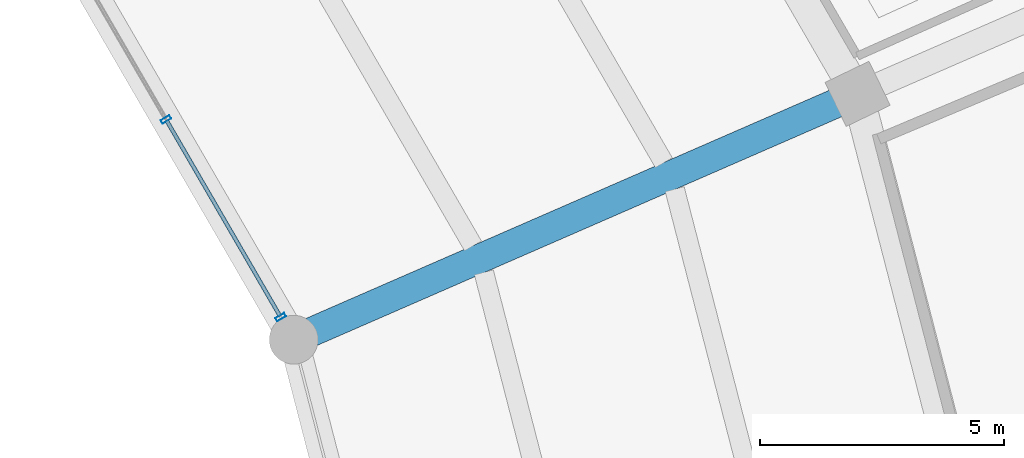
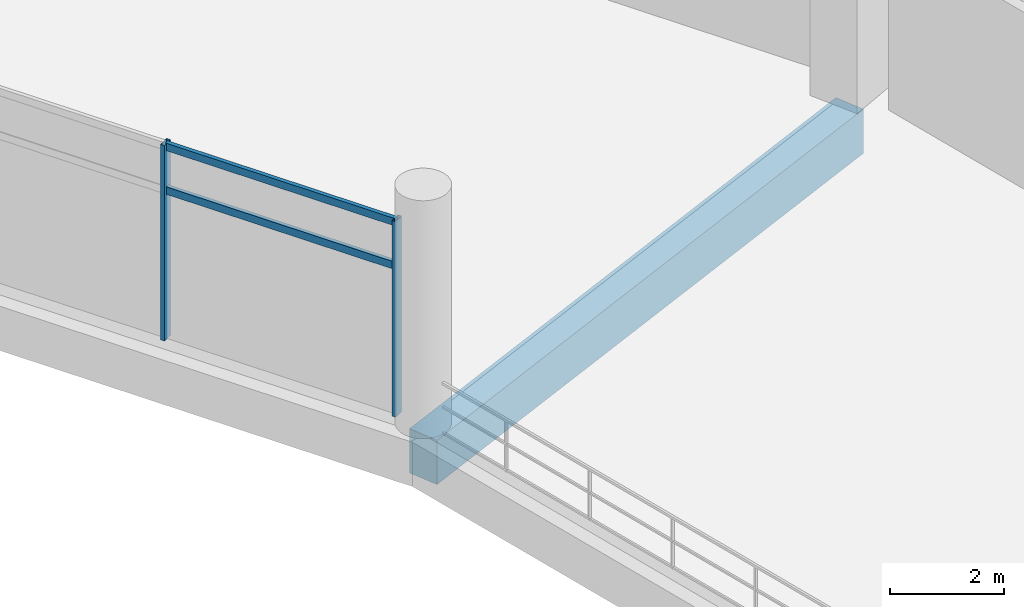
# One storey, part 82 of 184: 4 members, 1 beam, 1 element without a shape of its own.
"""IFC4 building model written with IfcOpenShell, lengths in metres."""

from ifc_helpers import new_model, si_unit, direction, frame, origin, origin_2d, place, context, subcontext, project, spatial, rectangle, hollow_rectangle, extrude, material, layer, layer_set, material_profile, profile_set, type_object, element, aggregate, save


model = new_model("IFC4")

# Units and contexts
model_context = context("Model", 3, precision=1e-05, world=origin(), true_north=direction((0.0, 1.0)))
body_context = subcontext(model_context, "Body", "Model", "MODEL_VIEW")
ifc_project = project(units=[si_unit("LENGTHUNIT", "METRE"), si_unit("AREAUNIT", "SQUARE_METRE"), si_unit("VOLUMEUNIT", "CUBIC_METRE"), si_unit("PLANEANGLEUNIT", "RADIAN"), si_unit("MASSUNIT", "GRAM", prefix="KILO")], contexts=[model_context])

# Site, building, storey
site_placement = place(None, origin())
site = spatial("IfcSite", under=ifc_project, at=site_placement, CompositionType="ELEMENT")
building_placement = place(site_placement, origin())
building = spatial("IfcBuilding", under=site, at=building_placement, Name="Kazemori Nagisa Stadium", CompositionType="ELEMENT")
storey_placement = place(building_placement, frame((0.0, 0.0, 10.5400390625)))
storey = spatial("IfcBuildingStorey", under=building, at=storey_placement, Name="L02", CompositionType="ELEMENT", Elevation=10.5400390625)

# Beam
ifc_material_1 = material(Name="Concrete C40/50 (Fc42)", Category="concrete")
ifc_material_profile_1 = material_profile(ifc_material_1, rectangle(XDim=0.60009765625, YDim=0.949951171875, at=origin_2d()), Name="RC-BM-600x950")
ifc_profile_set_1 = profile_set([ifc_material_profile_1], Name="Concrete C40/50 (Fc42)")
beam_type = type_object("IfcBeamType", Name="Beam_BG-RC600X950", PredefinedType="BEAM", material=ifc_profile_set_1)
beam_placement = place(storey_placement, frame((187.885986328125, 130.287109375, -0.735107421875), z_axis=(0.916671768981, 0.399640923771, 0.0), x_axis=(-0.399640923771, 0.916671768981, 0.0)))
element("IfcBeam", 1, at=beam_placement, inside=storey, type_object=beam_type, Name="Radial girder BG-RC600X950 L02 R1-R2-03", PredefinedType="BEAM", context=body_context, shape_type="SweptSolid", body=[
    extrude(rectangle(XDim=0.60009765625, YDim=0.949951171875, at=origin_2d()), origin(), (0.0, 0.0, 1.0), 12.605224609375),
])

# Curtain wall, members
ifc_material_2 = material(Name="Anodised aluminium 6063-T5", Category="aluminium")
ifc_layer = layer(ifc_material_2, 0.2099609375, Name="Anodised aluminium 6063-T5", Category="aluminium")
ifc_layer_set = layer_set([ifc_layer], Name="Anodised aluminium 6063-T5")
curtain_wall_type = type_object("IfcCurtainWallType", Name="CW_L02B_71", PredefinedType="USERDEFINED", material=ifc_layer_set)
curtain_wall_placement = place(storey_placement, origin())
curtain_wall = element("IfcCurtainWall", 2, at=curtain_wall_placement, inside=storey, type_object=curtain_wall_type, Name="Unitised curtain wall CW-L02B-71 L02", ObjectType="UNITISED CURTAIN WALL", PredefinedType="USERDEFINED")
ifc_material_3 = material(Name="Aluminium 6063-T5 anodised", Category="aluminium")
ifc_material_profile_2 = material_profile(ifc_material_3, hollow_rectangle(XDim=0.080078125, YDim=0.2099609375, WallThickness=0.0048828125, at=origin_2d()), Name="ALU-MULL-80x210x5")
ifc_profile_set_2 = profile_set([ifc_material_profile_2], Name="Aluminium 6063-T5 anodised")
member_type_1 = type_object("IfcMemberType", Name="Mullion_M02", PredefinedType="MULLION", material=ifc_profile_set_2)
member_1_placement = place(storey_placement, frame((187.61767578125, 130.75, 0.0), z_axis=(0.0, 0.0, 1.0), x_axis=(-0.501611590054, 0.865092950337, 0.0)))
member_1 = element("IfcMember", 3, at=member_1_placement, type_object=member_type_1, Name="Curtain wall mullion CW-L02B-71-M1", PredefinedType="MULLION", context=body_context, shape_type="SweptSolid", body=[
    extrude(hollow_rectangle(XDim=0.080078125, YDim=0.2099609375, WallThickness=0.0048828125, at=origin_2d()), origin(), (0.0, 0.0, 1.0), 4.18994140625),
])
member_2_placement = place(storey_placement, frame((185.268310546875, 134.801513671875, 0.0), z_axis=(0.0, 0.0, 1.0), x_axis=(-0.501611590054, 0.865092950337, 0.0)))
member_2 = element("IfcMember", 4, at=member_2_placement, type_object=member_type_1, Name="Curtain wall mullion CW-L02B-71-M2", PredefinedType="MULLION", context=body_context, shape_type="SweptSolid", body=[
    extrude(hollow_rectangle(XDim=0.080078125, YDim=0.2099609375, WallThickness=0.0048828125, at=origin_2d()), origin(), (0.0, 0.0, 1.0), 4.18994140625),
])
ifc_material_profile_3 = material_profile(ifc_material_3, hollow_rectangle(XDim=0.080078125, YDim=0.159912109375, WallThickness=0.00390625, at=origin_2d()), Name="ALU-TRAN-80x160x4")
ifc_profile_set_3 = profile_set([ifc_material_profile_3], Name="Aluminium 6063-T5 anodised")
member_type_2 = type_object("IfcMemberType", Name="Transom_T02", PredefinedType="USERDEFINED", material=ifc_profile_set_3)
member_3_placement = place(storey_placement, frame((187.607666015625, 130.767333984375, 3.184326171875), z_axis=(-0.501610282552, 0.865093708472, 0.0), x_axis=(-0.865093708472, -0.501610282552, 0.0)))
member_3 = element("IfcMember", 5, at=member_3_placement, type_object=member_type_2, Name="Curtain wall transom CW-L02B-71-T1-mid", ObjectType="TRANSOM", PredefinedType="USERDEFINED", context=body_context, shape_type="SweptSolid", body=[
    extrude(hollow_rectangle(XDim=0.080078125, YDim=0.159912109375, WallThickness=0.00390625, at=origin_2d()), origin(), (0.0, 0.0, 1.0), 4.643310546875),
])
member_4_placement = place(storey_placement, frame((187.607666015625, 130.767333984375, 4.119873046875), z_axis=(-0.501610282552, 0.865093708472, 0.0), x_axis=(-0.865093708472, -0.501610282552, 0.0)))
member_4 = element("IfcMember", 6, at=member_4_placement, type_object=member_type_2, Name="Curtain wall transom CW-L02B-71-T1-head", ObjectType="TRANSOM", PredefinedType="USERDEFINED", context=body_context, shape_type="SweptSolid", body=[
    extrude(hollow_rectangle(XDim=0.080078125, YDim=0.159912109375, WallThickness=0.00390625, at=origin_2d()), origin(), (0.0, 0.0, 1.0), 4.643310546875),
])
aggregate(curtain_wall, [member_1, member_2, member_3, member_4])

save(model, "model.ifc")
